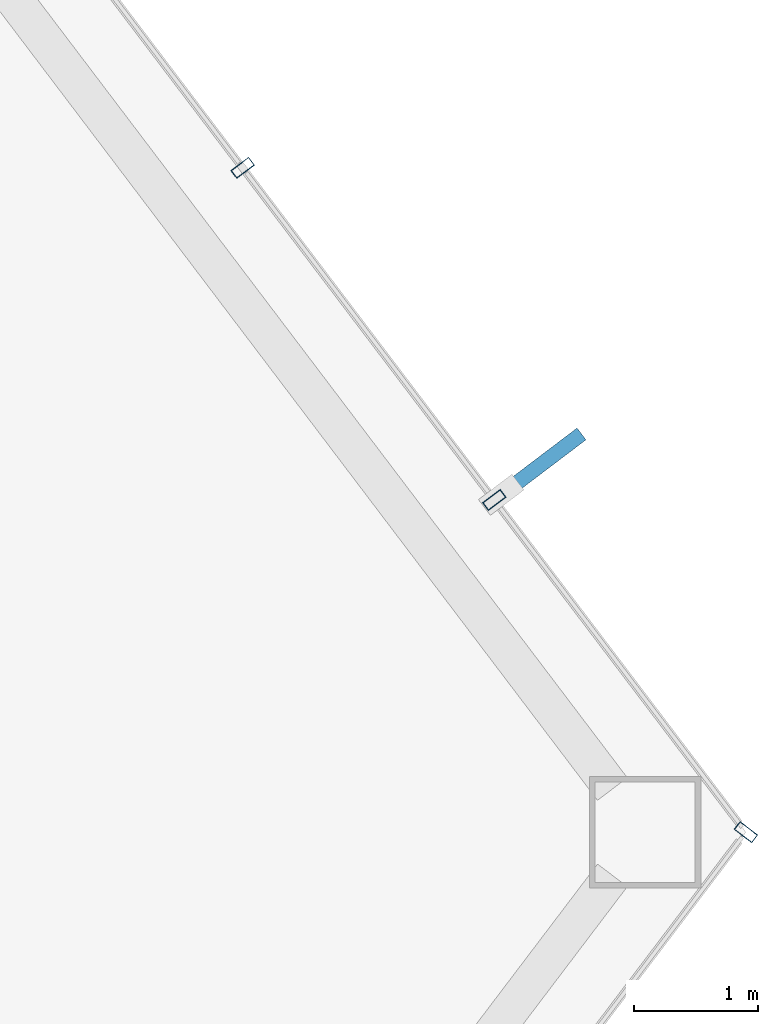
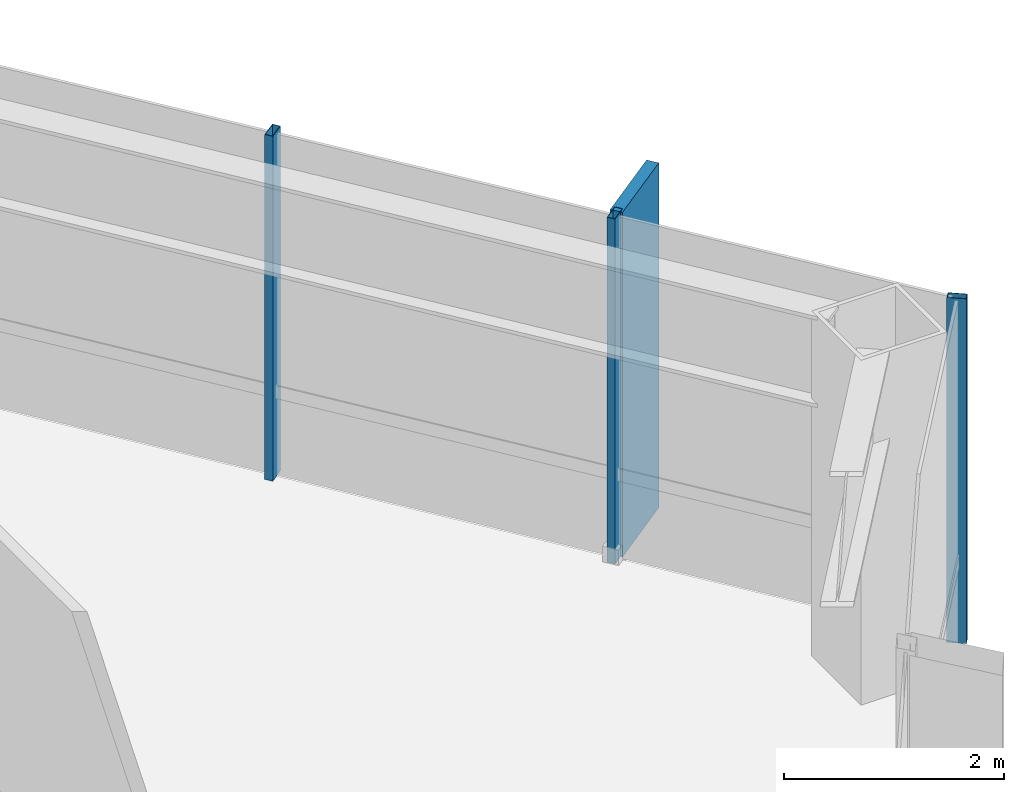
# One storey, part 17 of 24: 4 members, 2 elements without a shape of their own.
"""IFC4 building model written with IfcOpenShell, lengths in metres."""

from ifc_helpers import new_model, si_unit, direction, frame, origin, origin_2d, place, context, subcontext, project, spatial, rectangle, hollow_rectangle, extrude, material, layer, layer_set, material_profile, profile_set, type_object, element, aggregate, save


model = new_model("IFC4")

# Units and contexts
model_context = context("Model", 3, precision=1e-05, world=origin(), true_north=direction((0.0, 1.0)))
body_context = subcontext(model_context, "Body", "Model", "MODEL_VIEW")
ifc_project = project(units=[si_unit("LENGTHUNIT", "METRE"), si_unit("AREAUNIT", "SQUARE_METRE"), si_unit("VOLUMEUNIT", "CUBIC_METRE"), si_unit("PLANEANGLEUNIT", "RADIAN"), si_unit("MASSUNIT", "GRAM", prefix="KILO")], contexts=[model_context])

# Site, building, storey
site_placement = place(None, origin())
site = spatial("IfcSite", under=ifc_project, at=site_placement, CompositionType="ELEMENT")
building_placement = place(site_placement, origin())
building = spatial("IfcBuilding", under=site, at=building_placement, Name="Zarrinselat Tower", CompositionType="ELEMENT")
storey_placement = place(building_placement, frame((0.0, 0.0, 72.419921875)))
storey = spatial("IfcBuildingStorey", under=building, at=storey_placement, Name="L17", CompositionType="ELEMENT", Elevation=72.419921875)

# Curtain wall, member
ifc_material_1 = material(Name="Extruded Aluminium Alloy EN AW-6063 T6", Category="aluminium")
ifc_layer = layer(ifc_material_1, 0.18505859375)
ifc_layer_set = layer_set([ifc_layer], Name="Extruded Aluminium Alloy EN AW-6063 T6")
curtain_wall_type = type_object("IfcCurtainWallType", Name="CWS-OFF", PredefinedType="NOTDEFINED", material=ifc_layer_set)
curtain_wall_1_placement = place(storey_placement, origin())
curtain_wall_1 = element("IfcCurtainWall", 1, at=curtain_wall_1_placement, inside=storey, type_object=curtain_wall_type, Name="L17 Unitised Curtain Wall CW-L17-E05", PredefinedType="NOTDEFINED")
ifc_material_2 = material(Name="Extruded Aluminium Alloy EN AW-6063 T6", Category="aluminium")
ifc_material_profile_1 = material_profile(ifc_material_2, hollow_rectangle(XDim=0.080078125, YDim=0.179931640625, WallThickness=0.0048828125, at=origin_2d()), Name="RHS 180x80x5")
ifc_profile_set_1 = profile_set([ifc_material_profile_1], Name="Extruded Aluminium Alloy EN AW-6063 T6")
member_type_1 = type_object("IfcMemberType", Name="MEM-CW-MUL", PredefinedType="MULLION", material=ifc_profile_set_1)
member_1_placement = place(storey_placement, frame((61.95166015625, 36.301513671875, 0.0), z_axis=(0.0, 0.0, 1.0), x_axis=(0.603855086386, 0.797094119063, 0.0)))
member_1 = element("IfcMember", 2, at=member_1_placement, type_object=member_type_1, Name="CW-L17-E05 Mullion 6", PredefinedType="MULLION", context=body_context, shape_type="SweptSolid", body=[
    extrude(hollow_rectangle(XDim=0.080078125, YDim=0.179931640625, WallThickness=0.0048828125, at=origin_2d()), origin(), (0.0, 0.0, 1.0), 3.820068359375),
])
aggregate(curtain_wall_1, [member_1])

# Curtain wall, members
curtain_wall_2_placement = place(storey_placement, origin())
curtain_wall_2 = element("IfcCurtainWall", 3, at=curtain_wall_2_placement, inside=storey, type_object=curtain_wall_type, Name="L17 Unitised Curtain Wall CW-L17-E06", PredefinedType="NOTDEFINED")
member_2_placement = place(storey_placement, frame((59.91650390625, 38.98779296875, 0.0), z_axis=(0.0, 0.0, 1.0), x_axis=(-0.603856545426, 0.797093013736, 0.0)))
member_2 = element("IfcMember", 4, at=member_2_placement, type_object=member_type_1, Name="CW-L17-E06 Mullion 1", PredefinedType="MULLION", context=body_context, shape_type="SweptSolid", body=[
    extrude(hollow_rectangle(XDim=0.080078125, YDim=0.179931640625, WallThickness=0.0048828125, at=origin_2d()), origin(), (0.0, 0.0, 1.0), 3.820068359375),
])
member_3_placement = place(storey_placement, frame((57.881591796875, 41.67431640625, 0.0), z_axis=(0.0, 0.0, 1.0), x_axis=(-0.603856545426, 0.797093013736, 0.0)))
member_3 = element("IfcMember", 5, at=member_3_placement, type_object=member_type_1, Name="CW-L17-E06 Mullion 2", PredefinedType="MULLION", context=body_context, shape_type="SweptSolid", body=[
    extrude(hollow_rectangle(XDim=0.080078125, YDim=0.179931640625, WallThickness=0.0048828125, at=origin_2d()), origin(), (0.0, 0.0, 1.0), 3.820068359375),
])
ifc_material_3 = material(Name="Honed Cream Travertine Stone", Category="masonry")
ifc_material_profile_2 = material_profile(ifc_material_3, rectangle(XDim=0.1201171875, YDim=0.85009765625, at=origin_2d()), Name="FIN 850x120")
ifc_profile_set_2 = profile_set([ifc_material_profile_2], Name="Honed Cream Travertine Stone")
member_type_2 = type_object("IfcMemberType", Name="MEM-STONE-FIN", PredefinedType="USERDEFINED", material=ifc_profile_set_2)
member_4_placement = place(storey_placement, frame((60.283203125, 39.265625, 0.0), z_axis=(0.0, 0.0, 1.0), x_axis=(0.603856545426, -0.797093013736, 0.0)))
member_4 = element("IfcMember", 6, at=member_4_placement, type_object=member_type_2, Name="L17 Stone Shading Fin CW-L17-E06-01", ObjectType="FIN", PredefinedType="USERDEFINED", context=body_context, shape_type="SweptSolid", body=[
    extrude(rectangle(XDim=0.1201171875, YDim=0.85009765625, at=origin_2d()), origin(), (0.0, 0.0, 1.0), 3.820068359375),
])
aggregate(curtain_wall_2, [member_2, member_4, member_3])

save(model, "model.ifc")
